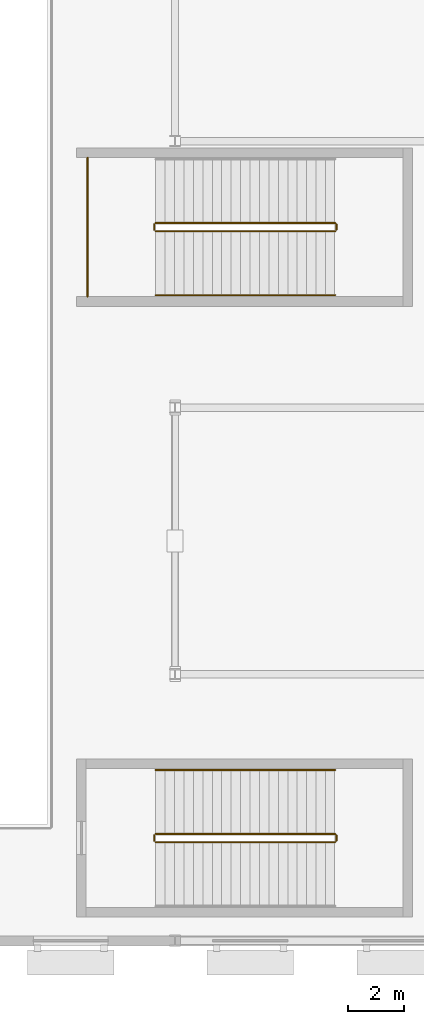
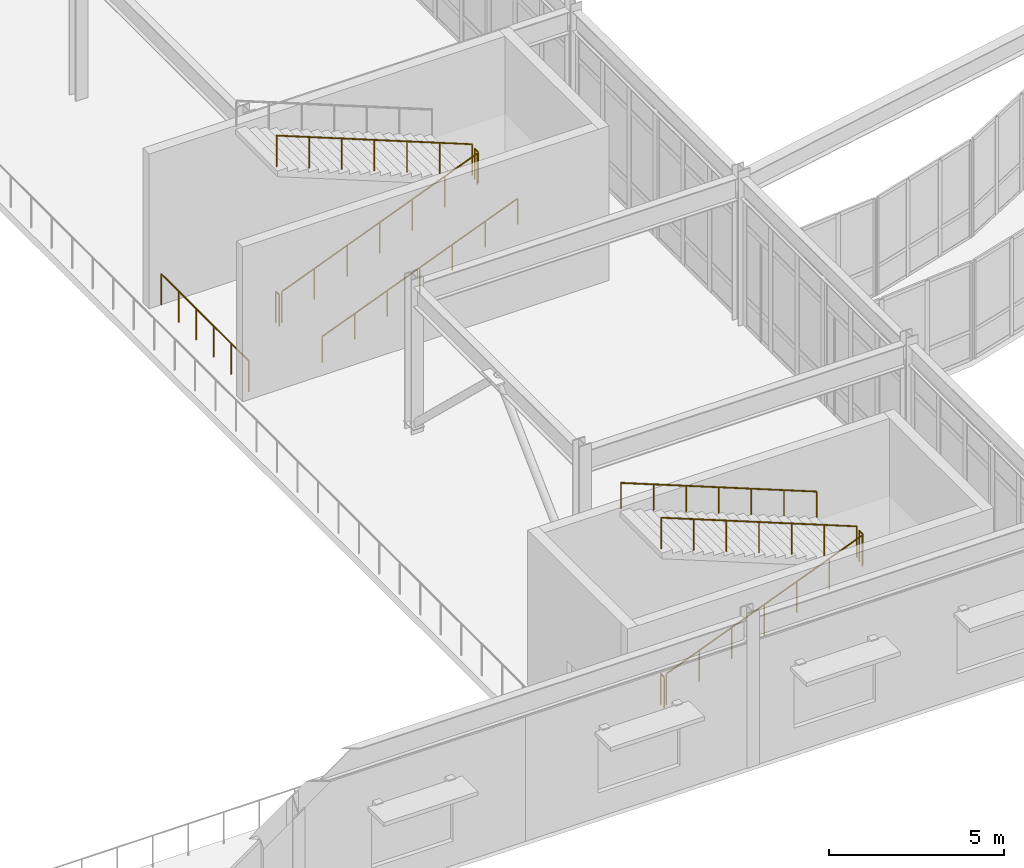
# One storey, part 64 of 72: 11 railings.
"""IFC4 building model written with IfcOpenShell, lengths in metres."""

from ifc_helpers import new_model, si_unit, direction, frame, origin, origin_2d, place, context, subcontext, project, spatial, circle, extrude, material, type_object, element, save


model = new_model("IFC4")

# Units and contexts
model_context = context("Model", 3, precision=1e-05, world=origin(), true_north=direction((0.0, 1.0)))
body_context = subcontext(model_context, "Body", "Model", "MODEL_VIEW")
ifc_project = project(units=[si_unit("LENGTHUNIT", "METRE"), si_unit("AREAUNIT", "SQUARE_METRE"), si_unit("VOLUMEUNIT", "CUBIC_METRE"), si_unit("PLANEANGLEUNIT", "RADIAN"), si_unit("MASSUNIT", "GRAM", prefix="KILO")], contexts=[model_context])

# Site, building, storey
site_placement = place(None, origin())
site = spatial("IfcSite", under=ifc_project, at=site_placement, CompositionType="ELEMENT")
building_placement = place(site_placement, origin())
building = spatial("IfcBuilding", under=site, at=building_placement, Name="Veldera Park Congress Hotel", CompositionType="ELEMENT")
storey_placement = place(building_placement, frame((0.0, 0.0, 5.39990234375)))
storey = spatial("IfcBuildingStorey", under=building, at=storey_placement, Name="L01", CompositionType="ELEMENT", Elevation=5.39990234375)

# Railings
ifc_material = material(Name="Steel ASTM A992 Gr.50", Category="steel")
railing_type_1 = type_object("IfcRailingType", Name="GRD-ST110", PredefinedType="GUARDRAIL", material=ifc_material)
railing_1_placement = place(storey_placement, frame((-13.10009765625, -17.449951171875, 0.135009765625)))
element("IfcRailing", 1, at=railing_1_placement, inside=storey, type_object=railing_type_1, Name="L01 ST5 stair guard 1", PredefinedType="GUARDRAIL", context=body_context, shape_type="SweptSolid", body=[
    extrude(circle(Radius=0.02392578125, at=origin_2d()), frame((0.0, 0.0, 1.076171875), z_axis=(0.929411175501, 0.0, 0.369045887192), x_axis=(0.0, 1.0, 0.0)), (0.0, 0.0, 1.0), 6.950927734375),
    extrude(circle(Radius=0.02099609375, at=origin_2d()), origin(), (0.0, 0.0, 1.0), 1.052001953125),
    extrude(circle(Radius=0.02099609375, at=origin_2d()), frame((1.07666015625, 0.0, 0.427490234375)), (0.0, 0.0, 1.0), 1.052001953125),
    extrude(circle(Radius=0.02099609375, at=origin_2d()), frame((2.1533203125, 0.0, 0.85498046875)), (0.0, 0.0, 1.0), 1.052001953125),
    extrude(circle(Radius=0.02099609375, at=origin_2d()), frame((3.22998046875, 0.0, 1.28271484375)), (0.0, 0.0, 1.0), 1.052001953125),
    extrude(circle(Radius=0.02099609375, at=origin_2d()), frame((4.306884765625, 0.0, 1.710205078125)), (0.0, 0.0, 1.0), 1.052001953125),
    extrude(circle(Radius=0.02099609375, at=origin_2d()), frame((5.383544921875, 0.0, 2.1376953125)), (0.0, 0.0, 1.0), 1.052001953125),
    extrude(circle(Radius=0.02099609375, at=origin_2d()), frame((6.460205078125, 0.0, 2.565185546875)), (0.0, 0.0, 1.0), 1.052001953125),
])
railing_2_placement = place(storey_placement, frame((-6.590087890625, -17.39990234375, 2.7001953125)))
element("IfcRailing", 2, at=railing_2_placement, inside=storey, type_object=railing_type_1, Name="L01 ST5 stair guard 2", PredefinedType="GUARDRAIL", context=body_context, shape_type="SweptSolid", body=[
    extrude(circle(Radius=0.02392578125, at=origin_2d()), frame((0.0, 0.0, 1.076171875), z_axis=(0.0, 1.0, 0.0), x_axis=(-1.0, 0.0, 0.0)), (0.0, 0.0, 1.0), 0.199951171875),
    extrude(circle(Radius=0.02099609375, at=origin_2d()), origin(), (0.0, 0.0, 1.0), 1.052001953125),
    extrude(circle(Radius=0.02099609375, at=origin_2d()), frame((0.0, 0.199951171875, 0.0)), (0.0, 0.0, 1.0), 1.052001953125),
])
railing_3_placement = place(storey_placement, frame((-6.639892578125, -17.14990234375, 2.835205078125)))
element("IfcRailing", 3, at=railing_3_placement, inside=storey, type_object=railing_type_1, Name="L01 ST5 stair guard 3", PredefinedType="GUARDRAIL", context=body_context, shape_type="SweptSolid", body=[
    extrude(circle(Radius=0.02392578125, at=origin_2d()), frame((0.0, 0.0, 1.076171875), z_axis=(-0.929423222467, 0.0, 0.369015546474), x_axis=(0.0, -1.0, 0.0)), (0.0, 0.0, 1.0), 6.95068359375),
    extrude(circle(Radius=0.02099609375, at=origin_2d()), origin(), (0.0, 0.0, 1.0), 1.052001953125),
    extrude(circle(Radius=0.02099609375, at=origin_2d()), frame((-1.07666015625, 0.0, 0.427490234375)), (0.0, 0.0, 1.0), 1.052001953125),
    extrude(circle(Radius=0.02099609375, at=origin_2d()), frame((-2.1533203125, 0.0, 0.85498046875)), (0.0, 0.0, 1.0), 1.052001953125),
    extrude(circle(Radius=0.02099609375, at=origin_2d()), frame((-3.22998046875, 0.0, 1.282470703125)), (0.0, 0.0, 1.0), 1.052001953125),
    extrude(circle(Radius=0.02099609375, at=origin_2d()), frame((-4.306884765625, 0.0, 1.7099609375)), (0.0, 0.0, 1.0), 1.052001953125),
    extrude(circle(Radius=0.02099609375, at=origin_2d()), frame((-5.383544921875, 0.0, 2.137451171875)), (0.0, 0.0, 1.0), 1.052001953125),
    extrude(circle(Radius=0.02099609375, at=origin_2d()), frame((-6.460205078125, 0.0, 2.56494140625)), (0.0, 0.0, 1.0), 1.052001953125),
])
railing_4_placement = place(storey_placement, frame((-13.14990234375, -17.39990234375, 0.0)))
element("IfcRailing", 4, at=railing_4_placement, inside=storey, type_object=railing_type_1, Name="L01 ST5 stair guard 4", PredefinedType="GUARDRAIL", context=body_context, shape_type="SweptSolid", body=[
    extrude(circle(Radius=0.02392578125, at=origin_2d()), frame((0.0, 0.0, 1.076171875), z_axis=(0.0, 1.0, 0.0), x_axis=(-1.0, 0.0, 0.0)), (0.0, 0.0, 1.0), 0.199951171875),
    extrude(circle(Radius=0.02099609375, at=origin_2d()), origin(), (0.0, 0.0, 1.0), 1.052001953125),
    extrude(circle(Radius=0.02099609375, at=origin_2d()), frame((0.0, 0.199951171875, 0.0)), (0.0, 0.0, 1.0), 1.052001953125),
])
railing_5_placement = place(storey_placement, frame((-13.10009765625, 4.550048828125, 0.135009765625)))
element("IfcRailing", 5, at=railing_5_placement, inside=storey, type_object=railing_type_1, Name="L01 ST9 stair guard 1", PredefinedType="GUARDRAIL", context=body_context, shape_type="SweptSolid", body=[
    extrude(circle(Radius=0.02392578125, at=origin_2d()), frame((0.0, 0.0, 1.076171875), z_axis=(0.929411175501, 0.0, 0.369045887192), x_axis=(0.0, 1.0, 0.0)), (0.0, 0.0, 1.0), 6.950927734375),
    extrude(circle(Radius=0.02099609375, at=origin_2d()), origin(), (0.0, 0.0, 1.0), 1.052001953125),
    extrude(circle(Radius=0.02099609375, at=origin_2d()), frame((1.07666015625, 0.0, 0.427490234375)), (0.0, 0.0, 1.0), 1.052001953125),
    extrude(circle(Radius=0.02099609375, at=origin_2d()), frame((2.1533203125, 0.0, 0.85498046875)), (0.0, 0.0, 1.0), 1.052001953125),
    extrude(circle(Radius=0.02099609375, at=origin_2d()), frame((3.22998046875, 0.0, 1.28271484375)), (0.0, 0.0, 1.0), 1.052001953125),
    extrude(circle(Radius=0.02099609375, at=origin_2d()), frame((4.306884765625, 0.0, 1.710205078125)), (0.0, 0.0, 1.0), 1.052001953125),
    extrude(circle(Radius=0.02099609375, at=origin_2d()), frame((5.383544921875, 0.0, 2.1376953125)), (0.0, 0.0, 1.0), 1.052001953125),
    extrude(circle(Radius=0.02099609375, at=origin_2d()), frame((6.460205078125, 0.0, 2.565185546875)), (0.0, 0.0, 1.0), 1.052001953125),
])
railing_6_placement = place(storey_placement, frame((-6.590087890625, 4.60009765625, 2.7001953125)))
element("IfcRailing", 6, at=railing_6_placement, inside=storey, type_object=railing_type_1, Name="L01 ST9 stair guard 2", PredefinedType="GUARDRAIL", context=body_context, shape_type="SweptSolid", body=[
    extrude(circle(Radius=0.02392578125, at=origin_2d()), frame((0.0, 0.0, 1.076171875), z_axis=(0.0, 1.0, 0.0), x_axis=(-1.0, 0.0, 0.0)), (0.0, 0.0, 1.0), 0.199951171875),
    extrude(circle(Radius=0.02099609375, at=origin_2d()), origin(), (0.0, 0.0, 1.0), 1.052001953125),
    extrude(circle(Radius=0.02099609375, at=origin_2d()), frame((0.0, 0.199951171875, 0.0)), (0.0, 0.0, 1.0), 1.052001953125),
])
railing_7_placement = place(storey_placement, frame((-6.639892578125, 4.85009765625, 2.835205078125)))
element("IfcRailing", 7, at=railing_7_placement, inside=storey, type_object=railing_type_1, Name="L01 ST9 stair guard 3", PredefinedType="GUARDRAIL", context=body_context, shape_type="SweptSolid", body=[
    extrude(circle(Radius=0.02392578125, at=origin_2d()), frame((0.0, 0.0, 1.076171875), z_axis=(-0.929423222467, 0.0, 0.369015546474), x_axis=(0.0, -1.0, 0.0)), (0.0, 0.0, 1.0), 6.95068359375),
    extrude(circle(Radius=0.02099609375, at=origin_2d()), origin(), (0.0, 0.0, 1.0), 1.052001953125),
    extrude(circle(Radius=0.02099609375, at=origin_2d()), frame((-1.07666015625, 0.0, 0.427490234375)), (0.0, 0.0, 1.0), 1.052001953125),
    extrude(circle(Radius=0.02099609375, at=origin_2d()), frame((-2.1533203125, 0.0, 0.85498046875)), (0.0, 0.0, 1.0), 1.052001953125),
    extrude(circle(Radius=0.02099609375, at=origin_2d()), frame((-3.22998046875, 0.0, 1.282470703125)), (0.0, 0.0, 1.0), 1.052001953125),
    extrude(circle(Radius=0.02099609375, at=origin_2d()), frame((-4.306884765625, 0.0, 1.7099609375)), (0.0, 0.0, 1.0), 1.052001953125),
    extrude(circle(Radius=0.02099609375, at=origin_2d()), frame((-5.383544921875, 0.0, 2.137451171875)), (0.0, 0.0, 1.0), 1.052001953125),
    extrude(circle(Radius=0.02099609375, at=origin_2d()), frame((-6.460205078125, 0.0, 2.56494140625)), (0.0, 0.0, 1.0), 1.052001953125),
])
railing_8_placement = place(storey_placement, frame((-13.14990234375, 4.60009765625, 0.0)))
element("IfcRailing", 8, at=railing_8_placement, inside=storey, type_object=railing_type_1, Name="L01 ST9 stair guard 4", PredefinedType="GUARDRAIL", context=body_context, shape_type="SweptSolid", body=[
    extrude(circle(Radius=0.02392578125, at=origin_2d()), frame((0.0, 0.0, 1.076171875), z_axis=(0.0, 1.0, 0.0), x_axis=(-1.0, 0.0, 0.0)), (0.0, 0.0, 1.0), 0.199951171875),
    extrude(circle(Radius=0.02099609375, at=origin_2d()), origin(), (0.0, 0.0, 1.0), 1.052001953125),
    extrude(circle(Radius=0.02099609375, at=origin_2d()), frame((0.0, 0.199951171875, 0.0)), (0.0, 0.0, 1.0), 1.052001953125),
])
railing_9_placement = place(storey_placement, frame((-15.550048828125, 2.199951171875, 0.0)))
element("IfcRailing", 9, at=railing_9_placement, inside=storey, type_object=railing_type_1, Name="L01 ST9 stair guard 5", PredefinedType="GUARDRAIL", context=body_context, shape_type="SweptSolid", body=[
    extrude(circle(Radius=0.02392578125, at=origin_2d()), frame((0.0, 0.0, 1.076171875), z_axis=(0.0, 1.0, 0.0), x_axis=(-1.0, 0.0, 0.0)), (0.0, 0.0, 1.0), 5.0),
    extrude(circle(Radius=0.02099609375, at=origin_2d()), origin(), (0.0, 0.0, 1.0), 1.052001953125),
    extrude(circle(Radius=0.02099609375, at=origin_2d()), frame((0.0, 1.0, 0.0)), (0.0, 0.0, 1.0), 1.052001953125),
    extrude(circle(Radius=0.02099609375, at=origin_2d()), frame((0.0, 2.0, 0.0)), (0.0, 0.0, 1.0), 1.052001953125),
    extrude(circle(Radius=0.02099609375, at=origin_2d()), frame((0.0, 3.0, 0.0)), (0.0, 0.0, 1.0), 1.052001953125),
    extrude(circle(Radius=0.02099609375, at=origin_2d()), frame((0.0, 4.0, 0.0)), (0.0, 0.0, 1.0), 1.052001953125),
    extrude(circle(Radius=0.02099609375, at=origin_2d()), frame((0.0, 5.0, 0.0)), (0.0, 0.0, 1.0), 1.052001953125),
])
railing_type_2 = type_object("IfcRailingType", Name="HRL-920", PredefinedType="HANDRAIL", material=ifc_material)
railing_10_placement = place(storey_placement, frame((-6.639892578125, -14.85009765625, 2.835205078125)))
element("IfcRailing", 10, at=railing_10_placement, inside=storey, type_object=railing_type_2, Name="L01 ST5 stair handrail 2", PredefinedType="HANDRAIL", context=body_context, shape_type="SweptSolid", body=[
    extrude(circle(Radius=0.02392578125, at=origin_2d()), frame((0.0, 0.0, 0.89599609375), z_axis=(-0.929423222467, 0.0, 0.369015546474), x_axis=(0.0, -1.0, 0.0)), (0.0, 0.0, 1.0), 6.95068359375),
    extrude(circle(Radius=0.02099609375, at=origin_2d()), origin(), (0.0, 0.0, 1.0), 0.871826171875),
    extrude(circle(Radius=0.02099609375, at=origin_2d()), frame((-1.07666015625, 0.0, 0.427490234375)), (0.0, 0.0, 1.0), 0.871826171875),
    extrude(circle(Radius=0.02099609375, at=origin_2d()), frame((-2.1533203125, 0.0, 0.85498046875)), (0.0, 0.0, 1.0), 0.871826171875),
    extrude(circle(Radius=0.02099609375, at=origin_2d()), frame((-3.22998046875, 0.0, 1.282470703125)), (0.0, 0.0, 1.0), 0.871826171875),
    extrude(circle(Radius=0.02099609375, at=origin_2d()), frame((-4.306884765625, 0.0, 1.7099609375)), (0.0, 0.0, 1.0), 0.871826171875),
    extrude(circle(Radius=0.02099609375, at=origin_2d()), frame((-5.383544921875, 0.0, 2.137451171875)), (0.0, 0.0, 1.0), 0.871826171875),
    extrude(circle(Radius=0.02099609375, at=origin_2d()), frame((-6.460205078125, 0.0, 2.56494140625)), (0.0, 0.0, 1.0), 0.871826171875),
])
railing_11_placement = place(storey_placement, frame((-13.10009765625, 2.25, 0.135009765625)))
element("IfcRailing", 11, at=railing_11_placement, inside=storey, type_object=railing_type_2, Name="L01 ST9 stair handrail 1", PredefinedType="HANDRAIL", context=body_context, shape_type="SweptSolid", body=[
    extrude(circle(Radius=0.02392578125, at=origin_2d()), frame((0.0, 0.0, 0.89599609375), z_axis=(0.929411175501, 0.0, 0.369045887192), x_axis=(0.0, 1.0, 0.0)), (0.0, 0.0, 1.0), 6.950927734375),
    extrude(circle(Radius=0.02099609375, at=origin_2d()), origin(), (0.0, 0.0, 1.0), 0.871826171875),
    extrude(circle(Radius=0.02099609375, at=origin_2d()), frame((1.07666015625, 0.0, 0.427490234375)), (0.0, 0.0, 1.0), 0.871826171875),
    extrude(circle(Radius=0.02099609375, at=origin_2d()), frame((2.1533203125, 0.0, 0.85498046875)), (0.0, 0.0, 1.0), 0.871826171875),
    extrude(circle(Radius=0.02099609375, at=origin_2d()), frame((3.22998046875, 0.0, 1.28271484375)), (0.0, 0.0, 1.0), 0.871826171875),
    extrude(circle(Radius=0.02099609375, at=origin_2d()), frame((4.306884765625, 0.0, 1.710205078125)), (0.0, 0.0, 1.0), 0.871826171875),
    extrude(circle(Radius=0.02099609375, at=origin_2d()), frame((5.383544921875, 0.0, 2.1376953125)), (0.0, 0.0, 1.0), 0.871826171875),
    extrude(circle(Radius=0.02099609375, at=origin_2d()), frame((6.460205078125, 0.0, 2.565185546875)), (0.0, 0.0, 1.0), 0.871826171875),
])

save(model, "model.ifc")
